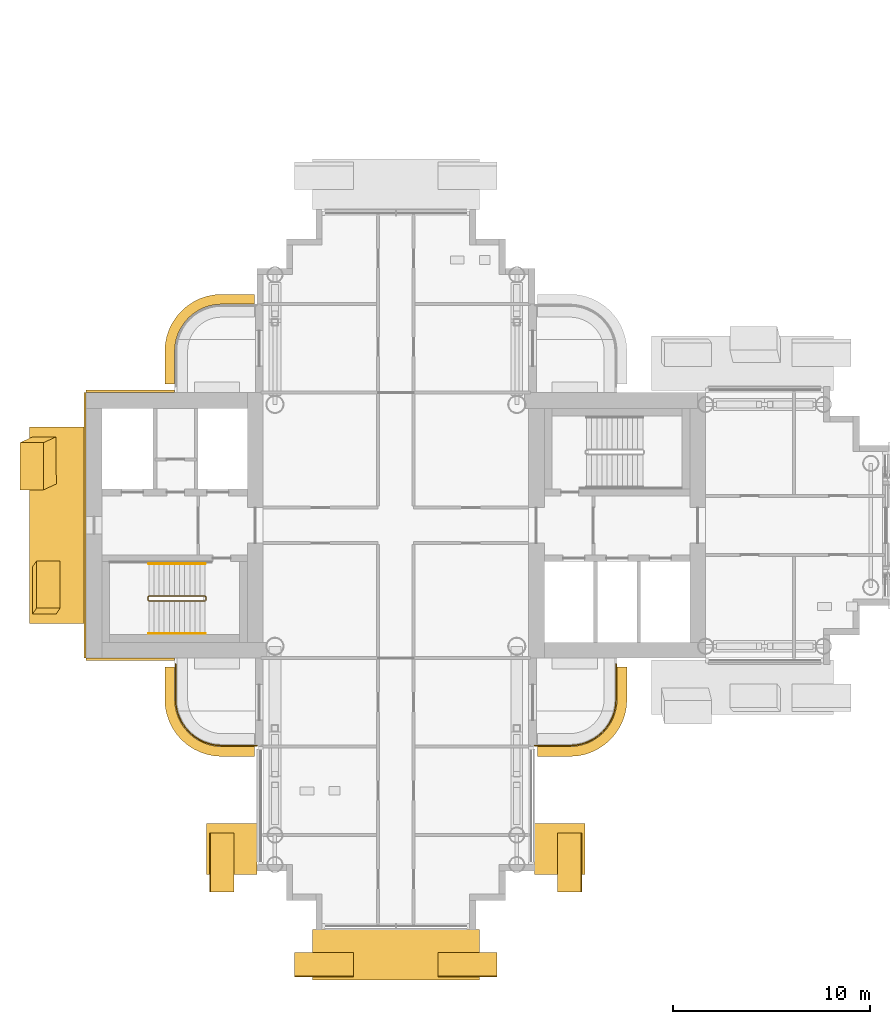
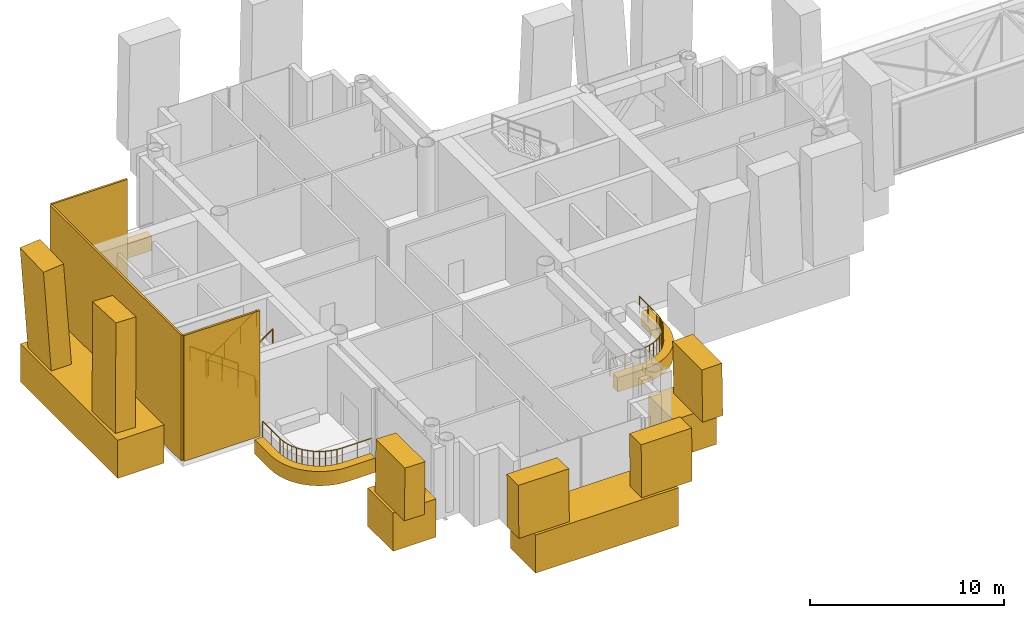
# One storey, part 22 of 26: 16 coverings, 5 railings.
"""IFC4 building model written with IfcOpenShell, lengths in metres."""

from ifc_helpers import new_model, si_unit, direction, frame, origin, origin_2d, place, context, subcontext, project, spatial, polyline, rectangle, circle, outline, extrude, material, layer, layer_set, material_profile, profile_set, type_object, element, save


model = new_model("IFC4")

# Units and contexts
model_context = context("Model", 3, precision=1e-05, world=origin(), true_north=direction((0.0, 1.0)))
body_context = subcontext(model_context, "Body", "Model", "MODEL_VIEW")
ifc_project = project(units=[si_unit("LENGTHUNIT", "METRE"), si_unit("AREAUNIT", "SQUARE_METRE"), si_unit("VOLUMEUNIT", "CUBIC_METRE"), si_unit("PLANEANGLEUNIT", "RADIAN"), si_unit("MASSUNIT", "GRAM", prefix="KILO")], contexts=[model_context])

# Site, building, storey
site_placement = place(None, origin())
site = spatial("IfcSite", under=ifc_project, at=site_placement, CompositionType="ELEMENT")
building_placement = place(site_placement, origin())
building = spatial("IfcBuilding", under=site, at=building_placement, Name="Ipe Terrace Towers", CompositionType="ELEMENT")
storey_placement = place(building_placement, frame((0.0, 0.0, 181.300048828125)))
storey = spatial("IfcBuildingStorey", under=building, at=storey_placement, Name="L50", CompositionType="ELEMENT", Elevation=181.300048828125)

# Railings
ifc_material_1 = material(Name="Stainless steel S316", Category="steel")
railing_type_1 = type_object("IfcRailingType", Name="GUARD 1100", PredefinedType="BALUSTRADE", material=ifc_material_1)
railing_1_placement = place(storey_placement, frame((-47.199951171875, -7.070068359375, -0.02001953125)))
element("IfcRailing", 1, at=railing_1_placement, inside=storey, type_object=railing_type_1, Name="guard", PredefinedType="BALUSTRADE", context=body_context, shape_type="SweptSolid", body=[
    extrude(circle(Radius=0.02392578125, at=origin_2d()), frame((0.0, 0.0, 1.076171875), z_axis=(0.0, -1.0, 0.0), x_axis=(1.0, 0.0, 0.0)), (0.0, 0.0, 1.0), 1.77783203125),
    extrude(circle(Radius=0.02392578125, at=origin_2d()), frame((0.0, -1.77783203125, 1.076171875), z_axis=(0.064635492184, -0.99790894031, 0.0), x_axis=(0.99790894031, 0.064635492184, 0.0)), (0.0, 0.0, 1.0), 0.309814453125),
    extrude(circle(Radius=0.02392578125, at=origin_2d()), frame((0.02001953125, -2.0869140625, 1.076171875), z_axis=(0.194892169718, -0.980824674538, 0.0), x_axis=(0.980824674538, 0.194892169718, 0.0)), (0.0, 0.0, 1.0), 0.306884765625),
    extrude(circle(Radius=0.02392578125, at=origin_2d()), frame((0.079833984375, -2.387939453125, 1.076171875), z_axis=(0.322415209212, -0.946598348228, 0.0), x_axis=(0.946598348228, 0.322415209212, 0.0)), (0.0, 0.0, 1.0), 0.307373046875),
    extrude(circle(Radius=0.02392578125, at=origin_2d()), frame((0.178955078125, -2.678955078125, 1.076171875), z_axis=(0.44212629539, -0.896952807524, 0.0), x_axis=(0.896952807524, 0.44212629539, 0.0)), (0.0, 0.0, 1.0), 0.3076171875),
    extrude(circle(Radius=0.02392578125, at=origin_2d()), frame((0.31494140625, -2.954833984375, 1.076171875), z_axis=(0.555066120228, -0.831806228742, 0.0), x_axis=(0.831806228742, 0.555066120228, 0.0)), (0.0, 0.0, 1.0), 0.307861328125),
    extrude(circle(Radius=0.02392578125, at=origin_2d()), frame((0.48583984375, -3.2109375, 1.076171875), z_axis=(0.658617227954, -0.752478137252, 0.0), x_axis=(0.752478137252, 0.658617227954, 0.0)), (0.0, 0.0, 1.0), 0.306884765625),
    extrude(circle(Radius=0.02392578125, at=origin_2d()), frame((0.68798828125, -3.44189453125, 1.076171875), z_axis=(0.752478137252, -0.658617227954, 0.0), x_axis=(0.658617227954, 0.752478137252, 0.0)), (0.0, 0.0, 1.0), 0.306884765625),
    extrude(circle(Radius=0.02392578125, at=origin_2d()), frame((0.9189453125, -3.64404296875, 1.076171875), z_axis=(0.831806228742, -0.555066120228, 0.0), x_axis=(0.555066120228, 0.831806228742, 0.0)), (0.0, 0.0, 1.0), 0.307861328125),
    extrude(circle(Radius=0.02392578125, at=origin_2d()), frame((1.175048828125, -3.81494140625, 1.076171875), z_axis=(0.896952807524, -0.44212629539, 0.0), x_axis=(0.44212629539, 0.896952807524, 0.0)), (0.0, 0.0, 1.0), 0.3076171875),
    extrude(circle(Radius=0.02392578125, at=origin_2d()), frame((1.450927734375, -3.950927734375, 1.076171875), z_axis=(0.946598348228, -0.322415209212, 0.0), x_axis=(0.322415209212, 0.946598348228, 0.0)), (0.0, 0.0, 1.0), 0.307373046875),
    extrude(circle(Radius=0.02392578125, at=origin_2d()), frame((1.741943359375, -4.050048828125, 1.076171875), z_axis=(0.980824674538, -0.194892169718, 0.0), x_axis=(0.194892169718, 0.980824674538, 0.0)), (0.0, 0.0, 1.0), 0.306884765625),
    extrude(circle(Radius=0.02392578125, at=origin_2d()), frame((2.04296875, -4.10986328125, 1.076171875), z_axis=(0.99790894031, -0.064635492184, 0.0), x_axis=(0.064635492184, 0.99790894031, 0.0)), (0.0, 0.0, 1.0), 0.309814453125),
    extrude(circle(Radius=0.02392578125, at=origin_2d()), frame((2.35205078125, -4.1298828125, 1.076171875), z_axis=(1.0, 0.0, 0.0), x_axis=(0.0, 1.0, 0.0)), (0.0, 0.0, 1.0), 1.77783203125),
    extrude(circle(Radius=0.02099609375, at=origin_2d()), origin(), (0.0, 0.0, 1.0), 1.052001953125),
    extrude(circle(Radius=0.02099609375, at=origin_2d()), frame((0.0, -0.888916015625, 0.0)), (0.0, 0.0, 1.0), 1.052001953125),
    extrude(circle(Radius=0.02099609375, at=origin_2d()), frame((0.0, -1.77783203125, 0.0)), (0.0, 0.0, 1.0), 1.052001953125),
    extrude(circle(Radius=0.02099609375, at=origin_2d()), frame((0.02001953125, -2.0869140625, 0.0)), (0.0, 0.0, 1.0), 1.052001953125),
    extrude(circle(Radius=0.02099609375, at=origin_2d()), frame((0.079833984375, -2.387939453125, 0.0)), (0.0, 0.0, 1.0), 1.052001953125),
    extrude(circle(Radius=0.02099609375, at=origin_2d()), frame((0.178955078125, -2.678955078125, 0.0)), (0.0, 0.0, 1.0), 1.052001953125),
    extrude(circle(Radius=0.02099609375, at=origin_2d()), frame((0.31494140625, -2.954833984375, 0.0)), (0.0, 0.0, 1.0), 1.052001953125),
    extrude(circle(Radius=0.02099609375, at=origin_2d()), frame((0.48583984375, -3.2109375, 0.0)), (0.0, 0.0, 1.0), 1.052001953125),
    extrude(circle(Radius=0.02099609375, at=origin_2d()), frame((0.68798828125, -3.44189453125, 0.0)), (0.0, 0.0, 1.0), 1.052001953125),
    extrude(circle(Radius=0.02099609375, at=origin_2d()), frame((0.9189453125, -3.64404296875, 0.0)), (0.0, 0.0, 1.0), 1.052001953125),
    extrude(circle(Radius=0.02099609375, at=origin_2d()), frame((1.175048828125, -3.81494140625, 0.0)), (0.0, 0.0, 1.0), 1.052001953125),
    extrude(circle(Radius=0.02099609375, at=origin_2d()), frame((1.450927734375, -3.950927734375, 0.0)), (0.0, 0.0, 1.0), 1.052001953125),
    extrude(circle(Radius=0.02099609375, at=origin_2d()), frame((1.741943359375, -4.050048828125, 0.0)), (0.0, 0.0, 1.0), 1.052001953125),
    extrude(circle(Radius=0.02099609375, at=origin_2d()), frame((2.04296875, -4.10986328125, 0.0)), (0.0, 0.0, 1.0), 1.052001953125),
    extrude(circle(Radius=0.02099609375, at=origin_2d()), frame((2.35205078125, -4.1298828125, 0.0)), (0.0, 0.0, 1.0), 1.052001953125),
    extrude(circle(Radius=0.02099609375, at=origin_2d()), frame((3.240966796875, -4.1298828125, 0.0)), (0.0, 0.0, 1.0), 1.052001953125),
    extrude(circle(Radius=0.02099609375, at=origin_2d()), frame((4.1298828125, -4.1298828125, 0.0)), (0.0, 0.0, 1.0), 1.052001953125),
])
railing_2_placement = place(storey_placement, frame((-28.929931640625, -11.199951171875, -0.02001953125)))
element("IfcRailing", 2, at=railing_2_placement, inside=storey, type_object=railing_type_1, Name="guard", PredefinedType="BALUSTRADE", context=body_context, shape_type="SweptSolid", body=[
    extrude(circle(Radius=0.02392578125, at=origin_2d()), frame((0.0, 0.0, 1.076171875), z_axis=(1.0, 0.0, 0.0), x_axis=(0.0, 1.0, 0.0)), (0.0, 0.0, 1.0), 1.77783203125),
    extrude(circle(Radius=0.02392578125, at=origin_2d()), frame((1.77783203125, 0.0, 1.076171875), z_axis=(0.99790894031, 0.064635492184, 0.0), x_axis=(-0.064635492184, 0.99790894031, 0.0)), (0.0, 0.0, 1.0), 0.309814453125),
    extrude(circle(Radius=0.02392578125, at=origin_2d()), frame((2.0869140625, 0.02001953125, 1.076171875), z_axis=(0.980824674538, 0.194892169718, 0.0), x_axis=(-0.194892169718, 0.980824674538, 0.0)), (0.0, 0.0, 1.0), 0.306884765625),
    extrude(circle(Radius=0.02392578125, at=origin_2d()), frame((2.387939453125, 0.079833984375, 1.076171875), z_axis=(0.946598348228, 0.322415209212, 0.0), x_axis=(-0.322415209212, 0.946598348228, 0.0)), (0.0, 0.0, 1.0), 0.307373046875),
    extrude(circle(Radius=0.02392578125, at=origin_2d()), frame((2.678955078125, 0.178955078125, 1.076171875), z_axis=(0.896952807524, 0.44212629539, 0.0), x_axis=(-0.44212629539, 0.896952807524, 0.0)), (0.0, 0.0, 1.0), 0.3076171875),
    extrude(circle(Radius=0.02392578125, at=origin_2d()), frame((2.954833984375, 0.31494140625, 1.076171875), z_axis=(0.831806228742, 0.555066120228, 0.0), x_axis=(-0.555066120228, 0.831806228742, 0.0)), (0.0, 0.0, 1.0), 0.307861328125),
    extrude(circle(Radius=0.02392578125, at=origin_2d()), frame((3.2109375, 0.48583984375, 1.076171875), z_axis=(0.752478137252, 0.658617227954, 0.0), x_axis=(-0.658617227954, 0.752478137252, 0.0)), (0.0, 0.0, 1.0), 0.306884765625),
    extrude(circle(Radius=0.02392578125, at=origin_2d()), frame((3.44189453125, 0.68798828125, 1.076171875), z_axis=(0.658617227954, 0.752478137252, 0.0), x_axis=(-0.752478137252, 0.658617227954, 0.0)), (0.0, 0.0, 1.0), 0.306884765625),
    extrude(circle(Radius=0.02392578125, at=origin_2d()), frame((3.64404296875, 0.9189453125, 1.076171875), z_axis=(0.555066120228, 0.831806228742, 0.0), x_axis=(-0.831806228742, 0.555066120228, 0.0)), (0.0, 0.0, 1.0), 0.307861328125),
    extrude(circle(Radius=0.02392578125, at=origin_2d()), frame((3.81494140625, 1.175048828125, 1.076171875), z_axis=(0.44212629539, 0.896952807524, 0.0), x_axis=(-0.896952807524, 0.44212629539, 0.0)), (0.0, 0.0, 1.0), 0.3076171875),
    extrude(circle(Radius=0.02392578125, at=origin_2d()), frame((3.950927734375, 1.450927734375, 1.076171875), z_axis=(0.322415209212, 0.946598348228, 0.0), x_axis=(-0.946598348228, 0.322415209212, 0.0)), (0.0, 0.0, 1.0), 0.307373046875),
    extrude(circle(Radius=0.02392578125, at=origin_2d()), frame((4.050048828125, 1.741943359375, 1.076171875), z_axis=(0.194892169718, 0.980824674538, 0.0), x_axis=(-0.980824674538, 0.194892169718, 0.0)), (0.0, 0.0, 1.0), 0.306884765625),
    extrude(circle(Radius=0.02392578125, at=origin_2d()), frame((4.10986328125, 2.04296875, 1.076171875), z_axis=(0.064635492184, 0.99790894031, 0.0), x_axis=(-0.99790894031, 0.064635492184, 0.0)), (0.0, 0.0, 1.0), 0.309814453125),
    extrude(circle(Radius=0.02392578125, at=origin_2d()), frame((4.1298828125, 2.35205078125, 1.076171875), z_axis=(0.0, 1.0, 0.0), x_axis=(-1.0, 0.0, 0.0)), (0.0, 0.0, 1.0), 1.77783203125),
    extrude(circle(Radius=0.02099609375, at=origin_2d()), origin(), (0.0, 0.0, 1.0), 1.052001953125),
    extrude(circle(Radius=0.02099609375, at=origin_2d()), frame((0.888916015625, 0.0, 0.0)), (0.0, 0.0, 1.0), 1.052001953125),
    extrude(circle(Radius=0.02099609375, at=origin_2d()), frame((1.77783203125, 0.0, 0.0)), (0.0, 0.0, 1.0), 1.052001953125),
    extrude(circle(Radius=0.02099609375, at=origin_2d()), frame((2.0869140625, 0.02001953125, 0.0)), (0.0, 0.0, 1.0), 1.052001953125),
    extrude(circle(Radius=0.02099609375, at=origin_2d()), frame((2.387939453125, 0.079833984375, 0.0)), (0.0, 0.0, 1.0), 1.052001953125),
    extrude(circle(Radius=0.02099609375, at=origin_2d()), frame((2.678955078125, 0.178955078125, 0.0)), (0.0, 0.0, 1.0), 1.052001953125),
    extrude(circle(Radius=0.02099609375, at=origin_2d()), frame((2.954833984375, 0.31494140625, 0.0)), (0.0, 0.0, 1.0), 1.052001953125),
    extrude(circle(Radius=0.02099609375, at=origin_2d()), frame((3.2109375, 0.48583984375, 0.0)), (0.0, 0.0, 1.0), 1.052001953125),
    extrude(circle(Radius=0.02099609375, at=origin_2d()), frame((3.44189453125, 0.68798828125, 0.0)), (0.0, 0.0, 1.0), 1.052001953125),
    extrude(circle(Radius=0.02099609375, at=origin_2d()), frame((3.64404296875, 0.9189453125, 0.0)), (0.0, 0.0, 1.0), 1.052001953125),
    extrude(circle(Radius=0.02099609375, at=origin_2d()), frame((3.81494140625, 1.175048828125, 0.0)), (0.0, 0.0, 1.0), 1.052001953125),
    extrude(circle(Radius=0.02099609375, at=origin_2d()), frame((3.950927734375, 1.450927734375, 0.0)), (0.0, 0.0, 1.0), 1.052001953125),
    extrude(circle(Radius=0.02099609375, at=origin_2d()), frame((4.050048828125, 1.741943359375, 0.0)), (0.0, 0.0, 1.0), 1.052001953125),
    extrude(circle(Radius=0.02099609375, at=origin_2d()), frame((4.10986328125, 2.04296875, 0.0)), (0.0, 0.0, 1.0), 1.052001953125),
    extrude(circle(Radius=0.02099609375, at=origin_2d()), frame((4.1298828125, 2.35205078125, 0.0)), (0.0, 0.0, 1.0), 1.052001953125),
    extrude(circle(Radius=0.02099609375, at=origin_2d()), frame((4.1298828125, 3.240966796875, 0.0)), (0.0, 0.0, 1.0), 1.052001953125),
    extrude(circle(Radius=0.02099609375, at=origin_2d()), frame((4.1298828125, 4.1298828125, 0.0)), (0.0, 0.0, 1.0), 1.052001953125),
])

# Coverings
ifc_material_2 = material(Name="Concrete C50/60 precast, buff finish", Category="concrete")
ifc_layer_1 = layer(ifc_material_2, 0.1201171875)
ifc_layer_set_1 = layer_set([ifc_layer_1], Name="STONE CORE CLADDING 120")
covering_type_1 = type_object("IfcCoveringType", Name="STONE CORE CLADDING 120", PredefinedType="CLADDING", material=ifc_layer_set_1)
covering_1_placement = place(storey_placement, frame((-49.5, -6.81005859375, 0.0), z_axis=(0.0, 0.0, 1.0), x_axis=(1.0, 0.0, 0.0)))
element("IfcCovering", 3, at=covering_1_placement, inside=storey, type_object=covering_type_1, Name="stone core cladding", PredefinedType="CLADDING", context=body_context, shape_type="SweptSolid", body=[
    extrude(rectangle(XDim=4.5, YDim=0.1201171875, at=origin_2d()), origin(), (0.0, 0.0, 1.0), 7.89990234375),
])
covering_2_placement = place(storey_placement, frame((-51.81005859375, 0.0, 0.0), z_axis=(0.0, 0.0, 1.0), x_axis=(0.0, -1.0, 0.0)))
element("IfcCovering", 4, at=covering_2_placement, inside=storey, type_object=covering_type_1, Name="stone core cladding", PredefinedType="CLADDING", context=body_context, shape_type="SweptSolid", body=[
    extrude(rectangle(XDim=13.5, YDim=0.1201171875, at=origin_2d()), origin(), (0.0, 0.0, 1.0), 7.89990234375),
])
covering_3_placement = place(storey_placement, frame((-49.5, 6.81005859375, 0.0), z_axis=(0.0, 0.0, 1.0), x_axis=(-1.0, 0.0, 0.0)))
element("IfcCovering", 5, at=covering_3_placement, inside=storey, type_object=covering_type_1, Name="stone core cladding", PredefinedType="CLADDING", context=body_context, shape_type="SweptSolid", body=[
    extrude(rectangle(XDim=4.5, YDim=0.1201171875, at=origin_2d()), origin(), (0.0, 0.0, 1.0), 7.89990234375),
])
ifc_material_3 = material(Name="Concrete C50/60 precast, buff finish", Category="concrete")
ifc_layer_2 = layer(ifc_material_3, 0.5)
ifc_layer_set_2 = layer_set([ifc_layer_2], Name="STONE EDGE BAND 500 x 900")
covering_type_2 = type_object("IfcCoveringType", Name="STONE EDGE BAND 500 x 900", PredefinedType="CLADDING", material=ifc_layer_set_2)
covering_4_placement = place(storey_placement, frame((0.0, 0.0, -0.719970703125)))
element("IfcCovering", 6, at=covering_4_placement, inside=storey, type_object=covering_type_2, Name="stone edge band", PredefinedType="CLADDING", context=body_context, shape_type="SweptSolid", body=[
    extrude(outline(polyline([(-44.85009765625, -11.75), (-43.199951171875, -11.75), (-43.199951171875, -11.25), (-44.85009765625, -11.25), (-45.1630859375, -11.22900390625), (-45.470947265625, -11.16796875), (-45.76806640625, -11.06689453125), (-46.050048828125, -10.927978515625), (-46.31103515625, -10.75390625), (-46.547119140625, -10.547119140625), (-46.75390625, -10.31103515625), (-46.927978515625, -10.050048828125), (-47.06689453125, -9.76806640625), (-47.16796875, -9.470947265625), (-47.22900390625, -9.1630859375), (-47.25, -8.85009765625), (-47.25, -7.199951171875), (-47.75, -7.199951171875), (-47.75, -8.85009765625), (-47.7490234375, -8.883056640625), (-47.72802734375, -9.196044921875), (-47.719970703125, -9.260986328125), (-47.658935546875, -9.569091796875), (-47.64208984375, -9.632080078125), (-47.541015625, -9.928955078125), (-47.51611328125, -9.989990234375), (-47.376953125, -10.27099609375), (-47.343994140625, -10.327880859375), (-47.169921875, -10.589111328125), (-47.1298828125, -10.64111328125), (-46.923095703125, -10.876953125), (-46.876953125, -10.923095703125), (-46.64111328125, -11.1298828125), (-46.589111328125, -11.169921875), (-46.327880859375, -11.343994140625), (-46.27099609375, -11.376953125), (-45.989990234375, -11.51611328125), (-45.928955078125, -11.541015625), (-45.632080078125, -11.64208984375), (-45.569091796875, -11.658935546875), (-45.260986328125, -11.719970703125), (-45.196044921875, -11.72802734375), (-44.883056640625, -11.7490234375), (-44.85009765625, -11.75)])), origin(), (0.0, 0.0, 1.0), 0.89990234375),
])
covering_5_placement = place(storey_placement, frame((0.0, 0.0, -0.719970703125)))
element("IfcCovering", 7, at=covering_5_placement, inside=storey, type_object=covering_type_2, Name="stone edge band", PredefinedType="CLADDING", context=body_context, shape_type="SweptSolid", body=[
    extrude(outline(polyline([(-44.85009765625, 11.75), (-44.883056640625, 11.7490234375), (-45.196044921875, 11.72802734375), (-45.260986328125, 11.719970703125), (-45.569091796875, 11.658935546875), (-45.632080078125, 11.64208984375), (-45.928955078125, 11.541015625), (-45.989990234375, 11.51611328125), (-46.27099609375, 11.376953125), (-46.327880859375, 11.343994140625), (-46.589111328125, 11.169921875), (-46.64111328125, 11.1298828125), (-46.876953125, 10.923095703125), (-46.923095703125, 10.876953125), (-47.1298828125, 10.64111328125), (-47.169921875, 10.589111328125), (-47.343994140625, 10.327880859375), (-47.376953125, 10.27099609375), (-47.51611328125, 9.989990234375), (-47.541015625, 9.928955078125), (-47.64208984375, 9.632080078125), (-47.658935546875, 9.569091796875), (-47.719970703125, 9.260986328125), (-47.72802734375, 9.196044921875), (-47.7490234375, 8.883056640625), (-47.75, 8.85009765625), (-47.75, 7.199951171875), (-47.25, 7.199951171875), (-47.25, 8.85009765625), (-47.22900390625, 9.1630859375), (-47.16796875, 9.470947265625), (-47.06689453125, 9.76806640625), (-46.927978515625, 10.050048828125), (-46.75390625, 10.31103515625), (-46.547119140625, 10.547119140625), (-46.31103515625, 10.75390625), (-46.050048828125, 10.927978515625), (-45.76806640625, 11.06689453125), (-45.470947265625, 11.16796875), (-45.1630859375, 11.22900390625), (-44.85009765625, 11.25), (-43.199951171875, 11.25), (-43.199951171875, 11.75), (-44.85009765625, 11.75)])), origin(), (0.0, 0.0, 1.0), 0.89990234375),
])
covering_6_placement = place(storey_placement, frame((0.0, 0.0, -0.719970703125)))
element("IfcCovering", 8, at=covering_6_placement, inside=storey, type_object=covering_type_2, Name="stone edge band", PredefinedType="CLADDING", context=body_context, shape_type="SweptSolid", body=[
    extrude(outline(polyline([(-27.14990234375, -11.75), (-27.116943359375, -11.7490234375), (-26.803955078125, -11.72802734375), (-26.739013671875, -11.719970703125), (-26.430908203125, -11.658935546875), (-26.367919921875, -11.64208984375), (-26.071044921875, -11.541015625), (-26.010009765625, -11.51611328125), (-25.72900390625, -11.376953125), (-25.672119140625, -11.343994140625), (-25.410888671875, -11.169921875), (-25.35888671875, -11.1298828125), (-25.123046875, -10.923095703125), (-25.076904296875, -10.876953125), (-24.8701171875, -10.64111328125), (-24.830078125, -10.589111328125), (-24.656005859375, -10.327880859375), (-24.623046875, -10.27099609375), (-24.48388671875, -9.989990234375), (-24.458984375, -9.928955078125), (-24.35791015625, -9.632080078125), (-24.341064453125, -9.569091796875), (-24.280029296875, -9.260986328125), (-24.27197265625, -9.196044921875), (-24.2509765625, -8.883056640625), (-24.25, -8.85009765625), (-24.25, -7.199951171875), (-24.75, -7.199951171875), (-24.75, -8.85009765625), (-24.77099609375, -9.1630859375), (-24.83203125, -9.470947265625), (-24.93310546875, -9.76806640625), (-25.072021484375, -10.050048828125), (-25.24609375, -10.31103515625), (-25.452880859375, -10.547119140625), (-25.68896484375, -10.75390625), (-25.949951171875, -10.927978515625), (-26.23193359375, -11.06689453125), (-26.529052734375, -11.16796875), (-26.8369140625, -11.22900390625), (-27.14990234375, -11.25), (-28.800048828125, -11.25), (-28.800048828125, -11.75), (-27.14990234375, -11.75)])), origin(), (0.0, 0.0, 1.0), 0.89990234375),
])
ifc_material_4 = material(Name="Concrete C50/60 precast, buff finish", Category="concrete")
ifc_material_profile_1 = material_profile(ifc_material_4, rectangle(XDim=2.39990234375, YDim=1.199951171875, at=origin_2d()), Name="STONE FIN 2400 x 1200")
ifc_profile_set_1 = profile_set([ifc_material_profile_1], Name="Concrete C50/60 precast, buff finish")
covering_type_3 = type_object("IfcCoveringType", Name="STONE FIN 2400 x 1200", PredefinedType="USERDEFINED", material=ifc_profile_set_1)
covering_7_placement = place(storey_placement, frame((-53.8701171875, 3.300048828125, 1.199951171875), z_axis=(-0.095128722921, -0.043342458138, 0.994520968808), x_axis=(0.004126990933, -0.999060274119, -0.043145528428)))
element("IfcCovering", 9, at=covering_7_placement, inside=storey, type_object=covering_type_3, Name="stone fin", ObjectType="FIN", PredefinedType="USERDEFINED", context=body_context, shape_type="SweptSolid", body=[
    extrude(rectangle(XDim=2.39990234375, YDim=1.199951171875, at=origin_2d()), origin(), (0.0, 0.0, 1.0), 6.73681640625),
])
covering_8_placement = place(storey_placement, frame((-53.8701171875, -3.300048828125, 1.199951171875), z_axis=(0.029511278688, 0.043520948596, 0.998616548763), x_axis=(0.001285576906, -0.999052514652, 0.043501956953)))
element("IfcCovering", 10, at=covering_8_placement, inside=storey, type_object=covering_type_3, Name="stone fin", ObjectType="FIN", PredefinedType="USERDEFINED", context=body_context, shape_type="SweptSolid", body=[
    extrude(rectangle(XDim=2.39990234375, YDim=1.199951171875, at=origin_2d()), origin(), (0.0, 0.0, 1.0), 6.709228515625),
])
ifc_material_5 = material(Name="Concrete C50/60 precast, buff finish", Category="concrete")
ifc_material_profile_2 = material_profile(ifc_material_5, rectangle(XDim=3.0, YDim=1.199951171875, at=origin_2d()), Name="STONE FIN CORNER 3000 x 1200")
ifc_profile_set_2 = profile_set([ifc_material_profile_2], Name="Concrete C50/60 precast, buff finish")
covering_type_4 = type_object("IfcCoveringType", Name="STONE FIN CORNER 3000 x 1200", PredefinedType="USERDEFINED", material=ifc_profile_set_2)
for number, where, z_axis, x_axis, name in (
    (11, (-27.1298828125, -17.14990234375, 1.199951171875), (-0.015164343273, 0.0, 0.999885014736), (0.0, 1.0, 0.0), "stone fin"),
    (12, (-32.35009765625, -22.3701171875, 1.199951171875), (0.0, 0.015164343273, 0.999885014736), (1.0, 0.0, 0.0), "stone fin"),
    (13, (-39.64990234375, -22.3701171875, 1.199951171875), (0.0, 0.015164343273, 0.999885014736), (1.0, 0.0, 0.0), "stone fin"),
    (14, (-44.8701171875, -17.14990234375, 1.199951171875), (0.015164343273, 0.0, 0.999885014736), (0.0, -1.0, 0.0), "stone fin"),
):
    element("IfcCovering", number, at=place(storey_placement, frame(where, z_axis=z_axis, x_axis=x_axis)), inside=storey, type_object=covering_type_4, Name=name, ObjectType="FIN", PredefinedType="USERDEFINED", context=body_context, shape_type="SweptSolid", body=[
        extrude(rectangle(XDim=3.0, YDim=1.199951171875, at=origin_2d()), origin(), (0.0, 0.0, 1.0), 3.300537109375),
    ])
ifc_material_6 = material(Name="Concrete C50/60 precast, buff finish", Category="concrete")
ifc_material_profile_3 = material_profile(ifc_material_6, rectangle(XDim=2.56005859375, YDim=2.39990234375, at=origin_2d()), Name="STONE FIN SPANDREL 2560 x 2400")
ifc_profile_set_3 = profile_set([ifc_material_profile_3], Name="Concrete C50/60 precast, buff finish")
covering_type_5 = type_object("IfcCoveringType", Name="STONE FIN SPANDREL 2560 x 2400", PredefinedType="CLADDING", material=ifc_profile_set_3)
covering_9_placement = place(storey_placement, frame((-44.340087890625, -15.14990234375, 0.0), z_axis=(0.0, -1.0, 0.0), x_axis=(-1.0, 0.0, 0.0)))
element("IfcCovering", 15, at=covering_9_placement, inside=storey, type_object=covering_type_5, Name="stone fin spandrel", PredefinedType="CLADDING", context=body_context, shape_type="SweptSolid", body=[
    extrude(rectangle(XDim=2.56005859375, YDim=2.39990234375, at=origin_2d()), origin(), (0.0, 0.0, 1.0), 2.60009765625),
])
covering_10_placement = place(storey_placement, frame((-40.25, -21.840087890625, 0.0), z_axis=(1.0, 0.0, 0.0), x_axis=(0.0, -1.0, 0.0)))
element("IfcCovering", 16, at=covering_10_placement, inside=storey, type_object=covering_type_5, Name="stone fin spandrel", PredefinedType="CLADDING", context=body_context, shape_type="SweptSolid", body=[
    extrude(rectangle(XDim=2.56005859375, YDim=2.39990234375, at=origin_2d()), origin(), (0.0, 0.0, 1.0), 8.5),
])
covering_11_placement = place(storey_placement, frame((-27.659912109375, -17.75, 0.0), z_axis=(0.0, 1.0, 0.0), x_axis=(1.0, 0.0, 0.0)))
element("IfcCovering", 17, at=covering_11_placement, inside=storey, type_object=covering_type_5, Name="stone fin spandrel", PredefinedType="CLADDING", context=body_context, shape_type="SweptSolid", body=[
    extrude(rectangle(XDim=2.56005859375, YDim=2.39990234375, at=origin_2d()), origin(), (0.0, 0.0, 1.0), 2.60009765625),
])
ifc_material_7 = material(Name="Concrete C50/60 precast, buff finish", Category="concrete")
ifc_material_profile_4 = material_profile(ifc_material_7, rectangle(XDim=2.760009765625, YDim=2.39990234375, at=origin_2d()), Name="STONE FIN SPANDREL 2760 x 2400")
ifc_profile_set_4 = profile_set([ifc_material_profile_4], Name="Concrete C50/60 precast, buff finish")
covering_type_6 = type_object("IfcCoveringType", Name="STONE FIN SPANDREL 2760 x 2400", PredefinedType="CLADDING", material=ifc_profile_set_4)
covering_12_placement = place(storey_placement, frame((-53.239990234375, 5.0, 0.0), z_axis=(0.0, -1.0, 0.0), x_axis=(-1.0, 0.0, 0.0)))
element("IfcCovering", 18, at=covering_12_placement, inside=storey, type_object=covering_type_6, Name="stone fin spandrel", PredefinedType="CLADDING", context=body_context, shape_type="SweptSolid", body=[
    extrude(rectangle(XDim=2.760009765625, YDim=2.39990234375, at=origin_2d()), origin(), (0.0, 0.0, 1.0), 10.0),
])

# Railings
ifc_material_8 = material(Name="Steel S355", Category="steel")
railing_type_2 = type_object("IfcRailingType", Name="Stair guard 1100", PredefinedType="GUARDRAIL", material=ifc_material_8)
railing_3_placement = place(storey_placement, frame((-45.64990234375, -3.800048828125, 0.0)))
element("IfcRailing", 19, at=railing_3_placement, inside=storey, type_object=railing_type_2, Name="L50 T1-ST2 stair guard 1", PredefinedType="GUARDRAIL", context=body_context, shape_type="SweptSolid", body=[
    extrude(circle(Radius=0.02392578125, at=origin_2d()), frame((0.0, 0.0, 1.076171875), z_axis=(0.0, 1.0, 0.0), x_axis=(-1.0, 0.0, 0.0)), (0.0, 0.0, 1.0), 0.150146484375),
    extrude(circle(Radius=0.02392578125, at=origin_2d()), frame((0.0, 0.150146484375, 1.076171875), z_axis=(-0.249802250048, 0.248583702486, 0.935844527007), x_axis=(-0.705375805398, -0.708833529934, 0.0)), (0.0, 0.0, 1.0), 0.200439453125),
    extrude(circle(Radius=0.02392578125, at=origin_2d()), frame((-0.050048828125, 0.199951171875, 1.263671875), z_axis=(-0.811100754333, 0.0, 0.584906459462), x_axis=(0.0, -1.0, 0.0)), (0.0, 0.0, 1.0), 3.526123046875),
    extrude(circle(Radius=0.02392578125, at=origin_2d()), frame((-2.91015625, 0.199951171875, 3.326171875), z_axis=(-0.708833529934, -0.705375805398, 0.0), x_axis=(0.705375805398, -0.708833529934, 0.0)), (0.0, 0.0, 1.0), 0.070556640625),
    extrude(circle(Radius=0.02392578125, at=origin_2d()), frame((-2.960205078125, 0.150146484375, 3.326171875), z_axis=(0.0, -1.0, 0.0), x_axis=(1.0, 0.0, 0.0)), (0.0, 0.0, 1.0), 0.150146484375),
    extrude(circle(Radius=0.02392578125, at=origin_2d()), frame((-2.960205078125, 0.0, 3.326171875), z_axis=(0.249726431254, -0.249726431254, 0.935560483917), x_axis=(0.707106781187, 0.707106781187, 0.0)), (0.0, 0.0, 1.0), 0.200439453125),
    extrude(circle(Radius=0.02392578125, at=origin_2d()), frame((-2.91015625, -0.050048828125, 3.513671875), z_axis=(0.811100754333, 0.0, 0.584906459462), x_axis=(0.0, 1.0, 0.0)), (0.0, 0.0, 1.0), 3.526123046875),
    extrude(circle(Radius=0.02099609375, at=origin_2d()), origin(), (0.0, 0.0, 1.0), 1.052001953125),
    extrude(circle(Radius=0.02099609375, at=origin_2d()), frame((0.0, 0.150146484375, 0.0)), (0.0, 0.0, 1.0), 1.052001953125),
    extrude(circle(Radius=0.02099609375, at=origin_2d()), frame((-0.050048828125, 0.199951171875, 0.1875)), (0.0, 0.0, 1.0), 1.052001953125),
    extrude(circle(Radius=0.02099609375, at=origin_2d()), frame((-1.00341796875, 0.199951171875, 0.875)), (0.0, 0.0, 1.0), 1.052001953125),
    extrude(circle(Radius=0.02099609375, at=origin_2d()), frame((-1.956787109375, 0.199951171875, 1.5625)), (0.0, 0.0, 1.0), 1.052001953125),
    extrude(circle(Radius=0.02099609375, at=origin_2d()), frame((-2.91015625, 0.199951171875, 2.25)), (0.0, 0.0, 1.0), 1.052001953125),
    extrude(circle(Radius=0.02099609375, at=origin_2d()), frame((-2.960205078125, 0.150146484375, 2.25)), (0.0, 0.0, 1.0), 1.052001953125),
    extrude(circle(Radius=0.02099609375, at=origin_2d()), frame((-2.960205078125, 0.0, 2.25)), (0.0, 0.0, 1.0), 1.052001953125),
    extrude(circle(Radius=0.02099609375, at=origin_2d()), frame((-2.91015625, -0.050048828125, 2.4375)), (0.0, 0.0, 1.0), 1.052001953125),
    extrude(circle(Radius=0.02099609375, at=origin_2d()), frame((-1.956787109375, -0.050048828125, 3.125)), (0.0, 0.0, 1.0), 1.052001953125),
    extrude(circle(Radius=0.02099609375, at=origin_2d()), frame((-1.00341796875, -0.050048828125, 3.8125)), (0.0, 0.0, 1.0), 1.052001953125),
    extrude(circle(Radius=0.02099609375, at=origin_2d()), frame((-0.050048828125, -0.050048828125, 4.5)), (0.0, 0.0, 1.0), 1.052001953125),
])
ifc_material_9 = material(Name="Stainless steel grade 304", Category="steel")
railing_type_3 = type_object("IfcRailingType", Name="Stair handrail 900", PredefinedType="HANDRAIL", material=ifc_material_9)
railing_4_placement = place(storey_placement, frame((-45.699951171875, -1.949951171875, 0.1875)))
element("IfcRailing", 20, at=railing_4_placement, inside=storey, type_object=railing_type_3, Name="L50 T1-ST2 stair handrail 1", PredefinedType="HANDRAIL", context=body_context, shape_type="SweptSolid", body=[
    extrude(circle(Radius=0.02392578125, at=origin_2d()), frame((0.0, 0.0, 0.8759765625), z_axis=(-0.811100754333, 0.0, 0.584906459462), x_axis=(0.0, -1.0, 0.0)), (0.0, 0.0, 1.0), 3.526123046875),
    extrude(circle(Radius=0.02099609375, at=origin_2d()), origin(), (0.0, 0.0, 1.0), 0.851806640625),
    extrude(circle(Radius=0.02099609375, at=origin_2d()), frame((-0.953369140625, 0.0, 0.6875)), (0.0, 0.0, 1.0), 0.851806640625),
    extrude(circle(Radius=0.02099609375, at=origin_2d()), frame((-1.90673828125, 0.0, 1.375)), (0.0, 0.0, 1.0), 0.851806640625),
    extrude(circle(Radius=0.02099609375, at=origin_2d()), frame((-2.860107421875, 0.0, 2.0625)), (0.0, 0.0, 1.0), 0.851806640625),
])
railing_5_placement = place(storey_placement, frame((-48.56005859375, -5.5, 2.4375)))
element("IfcRailing", 21, at=railing_5_placement, inside=storey, type_object=railing_type_3, Name="L50 T1-ST2 stair handrail 2", PredefinedType="HANDRAIL", context=body_context, shape_type="SweptSolid", body=[
    extrude(circle(Radius=0.02392578125, at=origin_2d()), frame((0.0, 0.0, 0.8759765625), z_axis=(0.811100754333, 0.0, 0.584906459462), x_axis=(0.0, 1.0, 0.0)), (0.0, 0.0, 1.0), 3.526123046875),
    extrude(circle(Radius=0.02099609375, at=origin_2d()), origin(), (0.0, 0.0, 1.0), 0.851806640625),
    extrude(circle(Radius=0.02099609375, at=origin_2d()), frame((0.953369140625, 0.0, 0.6875)), (0.0, 0.0, 1.0), 0.851806640625),
    extrude(circle(Radius=0.02099609375, at=origin_2d()), frame((1.90673828125, 0.0, 1.375)), (0.0, 0.0, 1.0), 0.851806640625),
    extrude(circle(Radius=0.02099609375, at=origin_2d()), frame((2.860107421875, 0.0, 2.0625)), (0.0, 0.0, 1.0), 0.851806640625),
])

save(model, "model.ifc")
